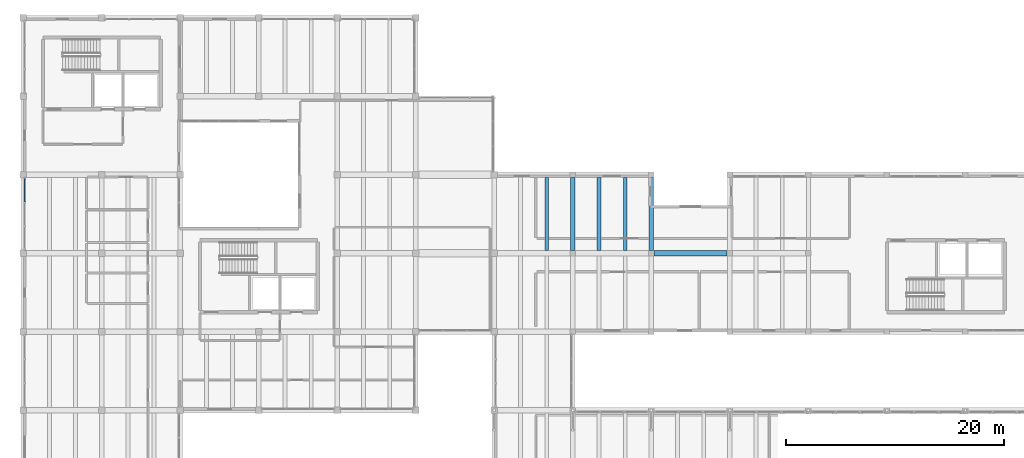
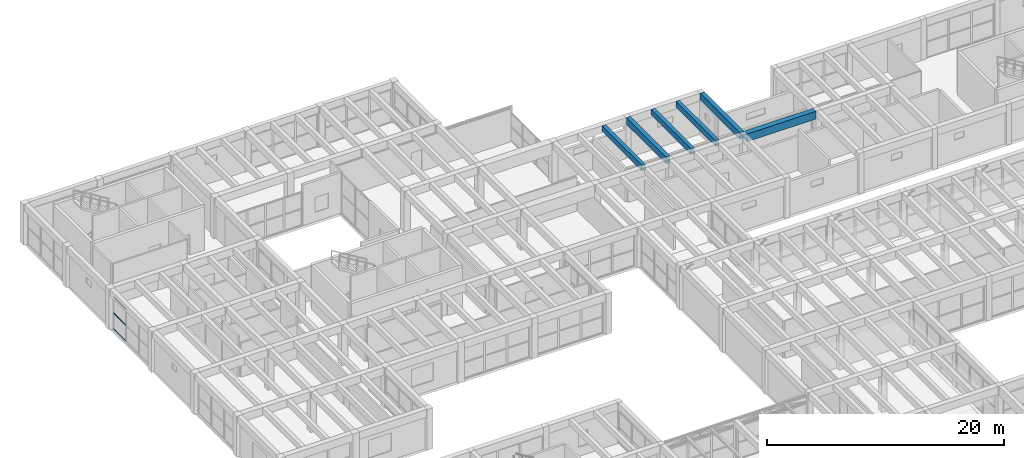
# One storey, part 77 of 153: 6 beams, 3 members, 1 element without a shape of its own.
"""IFC4 building model written with IfcOpenShell, lengths in metres."""

from ifc_helpers import new_model, si_unit, direction, frame, origin, origin_2d, place, context, subcontext, project, spatial, rectangle, hollow_rectangle, extrude, material, material_profile, profile_set, type_object, element, aggregate, save


model = new_model("IFC4")

# Units and contexts
model_context = context("Model", 3, precision=1e-05, world=origin(), true_north=direction((0.0, 1.0)))
body_context = subcontext(model_context, "Body", "Model", "MODEL_VIEW")
ifc_project = project(units=[si_unit("LENGTHUNIT", "METRE"), si_unit("AREAUNIT", "SQUARE_METRE"), si_unit("VOLUMEUNIT", "CUBIC_METRE"), si_unit("PLANEANGLEUNIT", "RADIAN"), si_unit("MASSUNIT", "GRAM", prefix="KILO")], contexts=[model_context])

# Site, building, storey
site_placement = place(None, origin())
site = spatial("IfcSite", under=ifc_project, at=site_placement, CompositionType="ELEMENT")
building_placement = place(site_placement, origin())
building = spatial("IfcBuilding", under=site, at=building_placement, Name="Bramvelor Terrace Health Centre", CompositionType="ELEMENT")
storey_placement = place(building_placement, frame((0.0, 0.0, 4.800048828125)))
storey = spatial("IfcBuildingStorey", under=building, at=storey_placement, Name="L02", CompositionType="ELEMENT", Elevation=4.800048828125)

# Beams
ifc_material_1 = material(Name="Concrete C40/50", Category="concrete")
ifc_material_profile_1 = material_profile(ifc_material_1, rectangle(XDim=0.39990234375, YDim=0.699951171875, at=origin_2d()), Name="RC 400x700")
ifc_profile_set_1 = profile_set([ifc_material_profile_1], Name="Concrete C40/50")
beam_type_1 = type_object("IfcBeamType", Name="BM-RC-G700", PredefinedType="BEAM", material=ifc_profile_set_1)
for number, where, z_axis, x_axis, name in (
    (1, (50.39990234375, 93.85009765625, 3.849853515625), (0.0, 1.0, 0.0), (-1.0, 0.0, 0.0), "L02 Floor Girder"),
    (2, (57.60009765625, 93.85009765625, 3.849853515625), (0.0, 1.0, 0.0), (-1.0, 0.0, 0.0), "L02 Floor Girder"),
):
    element("IfcBeam", number, at=place(storey_placement, frame(where, z_axis=z_axis, x_axis=x_axis)), inside=storey, type_object=beam_type_1, Name=name, PredefinedType="BEAM", context=body_context, shape_type="SweptSolid", body=[
        extrude(rectangle(XDim=0.39990234375, YDim=0.699951171875, at=origin_2d()), origin(), (0.0, 0.0, 1.0), 6.699951171875),
    ])
ifc_material_2 = material(Name="Concrete C40/50", Category="concrete")
ifc_material_profile_2 = material_profile(ifc_material_2, rectangle(XDim=0.5, YDim=0.800048828125, at=origin_2d()), Name="RC 500x800")
ifc_profile_set_2 = profile_set([ifc_material_profile_2], Name="Concrete C40/50")
beam_type_2 = type_object("IfcBeamType", Name="BM-RC-G800", PredefinedType="BEAM", material=ifc_profile_set_2)
beam_placement = place(storey_placement, frame((57.85009765625, 93.60009765625, 3.800048828125), z_axis=(1.0, 0.0, 0.0), x_axis=(0.0, 1.0, 0.0)))
element("IfcBeam", 3, at=beam_placement, inside=storey, type_object=beam_type_2, Name="L02 Floor Girder", PredefinedType="BEAM", context=body_context, shape_type="SweptSolid", body=[
    extrude(rectangle(XDim=0.5, YDim=0.800048828125, at=origin_2d()), origin(), (0.0, 0.0, 1.0), 6.699951171875),
])
ifc_material_3 = material(Name="Concrete C40/50", Category="concrete")
ifc_material_profile_3 = material_profile(ifc_material_3, rectangle(XDim=0.35009765625, YDim=0.60009765625, at=origin_2d()), Name="RC 350x600")
ifc_profile_set_3 = profile_set([ifc_material_profile_3], Name="Concrete C40/50")
beam_type_3 = type_object("IfcBeamType", Name="BM-RC-J600", PredefinedType="JOIST", material=ifc_profile_set_3)
for number, where, z_axis, x_axis, name in (
    (4, (48.0, 93.85009765625, 3.89990234375), (0.0, 1.0, 0.0), (-1.0, 0.0, 0.0), "L02 Secondary Floor Joist"),
    (5, (52.800048828125, 93.85009765625, 3.89990234375), (0.0, 1.0, 0.0), (-1.0, 0.0, 0.0), "L02 Secondary Floor Joist"),
    (6, (55.199951171875, 93.85009765625, 3.89990234375), (0.0, 1.0, 0.0), (-1.0, 0.0, 0.0), "L02 Secondary Floor Joist"),
):
    element("IfcBeam", number, at=place(storey_placement, frame(where, z_axis=z_axis, x_axis=x_axis)), inside=storey, type_object=beam_type_3, Name=name, PredefinedType="JOIST", context=body_context, shape_type="SweptSolid", body=[
        extrude(rectangle(XDim=0.35009765625, YDim=0.60009765625, at=origin_2d()), origin(), (0.0, 0.0, 1.0), 6.699951171875),
    ])

# Curtain wall, members
ifc_material_4 = material(Name="Anodized aluminium and double low-E glass", Category="aluminium")
curtain_wall_type = type_object("IfcCurtainWallType", Name="CW-SYS-12", PredefinedType="NOTDEFINED", material=ifc_material_4)
curtain_wall_placement = place(storey_placement, origin())
curtain_wall = element("IfcCurtainWall", 7, at=curtain_wall_placement, inside=storey, type_object=curtain_wall_type, Name="L02 Unitized Curtain Wall 78", PredefinedType="NOTDEFINED")
ifc_material_5 = material(Name="Anodized aluminium 6063-T6", Category="aluminium")
ifc_material_profile_4 = material_profile(ifc_material_5, hollow_rectangle(XDim=0.06494140625, YDim=0.1201171875, WallThickness=0.0029296875, at=origin_2d()), Name="ALU-TRN 65x120x3.0")
ifc_profile_set_4 = profile_set([ifc_material_profile_4], Name="Anodized aluminium 6063-T6")
member_type = type_object("IfcMemberType", Name="CW-TRN-65x150", PredefinedType="USERDEFINED", material=ifc_profile_set_4)
member_1_placement = place(storey_placement, frame((0.1298828125, 98.339111328125, 0.032470703125), z_axis=(0.0, 1.0, 0.0), x_axis=(-1.0, 0.0, 0.0)))
member_1 = element("IfcMember", 8, at=member_1_placement, type_object=member_type, Name="CW-12 transom 3.1", ObjectType="TRANSOM", PredefinedType="USERDEFINED", context=body_context, shape_type="SweptSolid", body=[
    extrude(hollow_rectangle(XDim=0.06494140625, YDim=0.1201171875, WallThickness=0.0029296875, at=origin_2d()), origin(), (0.0, 0.0, 1.0), 2.0908203125),
])
member_2_placement = place(storey_placement, frame((0.1298828125, 98.339111328125, 1.679931640625), z_axis=(0.0, 1.0, 0.0), x_axis=(-1.0, 0.0, 0.0)))
member_2 = element("IfcMember", 9, at=member_2_placement, type_object=member_type, Name="CW-12 transom 3.2", ObjectType="TRANSOM", PredefinedType="USERDEFINED", context=body_context, shape_type="SweptSolid", body=[
    extrude(hollow_rectangle(XDim=0.06494140625, YDim=0.1201171875, WallThickness=0.0029296875, at=origin_2d()), origin(), (0.0, 0.0, 1.0), 2.0908203125),
])
member_3_placement = place(storey_placement, frame((0.1298828125, 98.339111328125, 3.327392578125), z_axis=(0.0, 1.0, 0.0), x_axis=(-1.0, 0.0, 0.0)))
member_3 = element("IfcMember", 10, at=member_3_placement, type_object=member_type, Name="CW-12 transom 3.3", ObjectType="TRANSOM", PredefinedType="USERDEFINED", context=body_context, shape_type="SweptSolid", body=[
    extrude(hollow_rectangle(XDim=0.06494140625, YDim=0.1201171875, WallThickness=0.0029296875, at=origin_2d()), origin(), (0.0, 0.0, 1.0), 2.0908203125),
])
aggregate(curtain_wall, [member_1, member_2, member_3])

save(model, "model.ifc")
